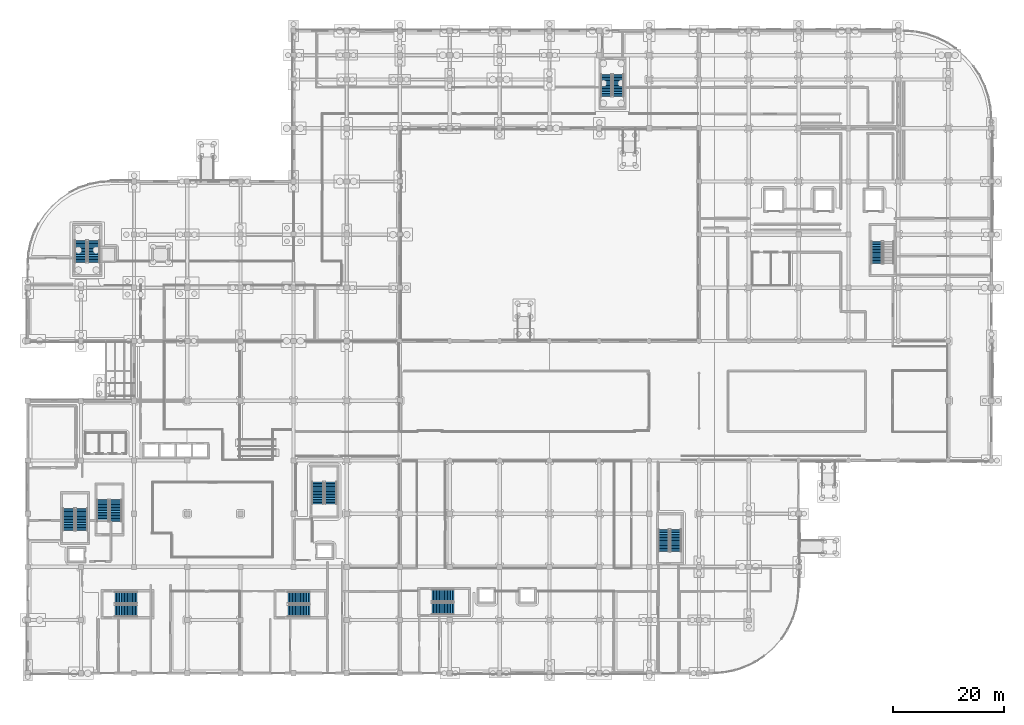
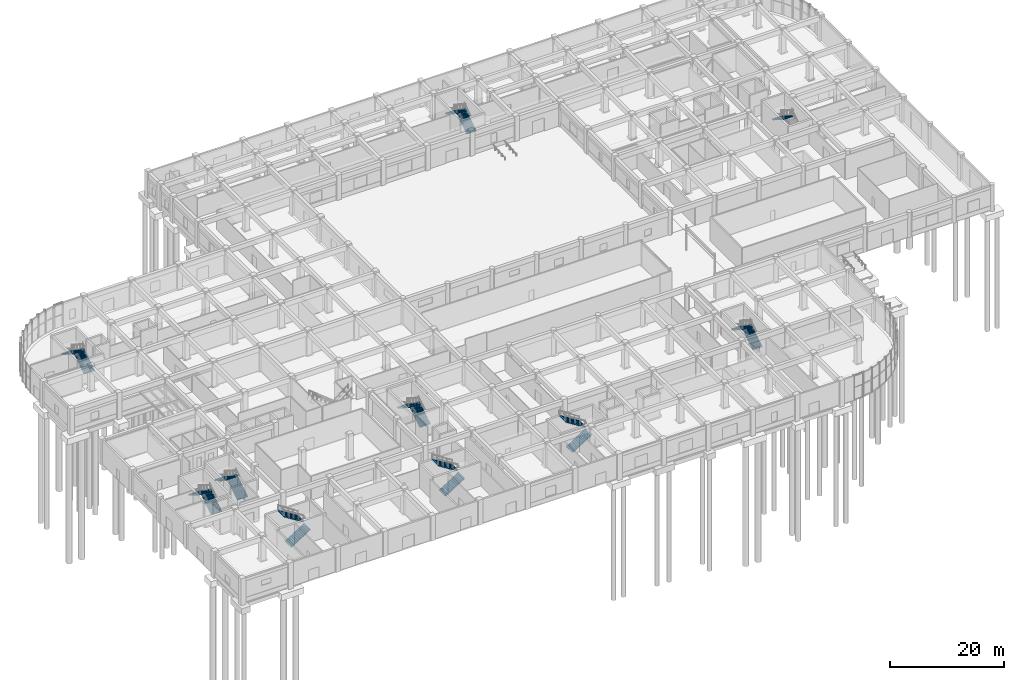
# One storey, part 41 of 74: 19 stair flights, 10 elements without a shape of their own.
"""IFC4 building model written with IfcOpenShell, lengths in metres."""

from ifc_helpers import new_model, si_unit, direction, frame, origin, place, context, subcontext, project, spatial, polyline, outline, extrude, material, layer, layer_set, type_object, element, aggregate, save


model = new_model("IFC4")

# Units and contexts
model_context = context("Model", 3, precision=1e-05, world=origin(), true_north=direction((0.0, 1.0)))
body_context = subcontext(model_context, "Body", "Model", "MODEL_VIEW")
ifc_project = project(units=[si_unit("LENGTHUNIT", "METRE"), si_unit("AREAUNIT", "SQUARE_METRE"), si_unit("VOLUMEUNIT", "CUBIC_METRE"), si_unit("PLANEANGLEUNIT", "RADIAN"), si_unit("MASSUNIT", "GRAM", prefix="KILO")], contexts=[model_context])

# Site, building, storey
site_placement = place(None, origin())
site = spatial("IfcSite", under=ifc_project, at=site_placement, CompositionType="ELEMENT")
building_placement = place(site_placement, origin())
building = spatial("IfcBuilding", under=site, at=building_placement, Name="Cendralis Terraced Arcade", CompositionType="ELEMENT")
storey_placement = place(building_placement, origin())
storey = spatial("IfcBuildingStorey", under=building, at=storey_placement, Name="L00", CompositionType="ELEMENT", Elevation=0.0)

# Stair, stair flight
ifc_material = material(Name="Concrete f'c 35 MPa", Category="concrete")
stair_type_1 = type_object("IfcStairType", Name="STR-W195-H480", PredefinedType="HALF_TURN_STAIR", material=ifc_material)
stair_1_placement = place(storey_placement, origin())
stair_1 = element("IfcStair", 1, at=stair_1_placement, inside=storey, type_object=stair_type_1, Name="L00 Protected Exit Stair ST-06", PredefinedType="HALF_TURN_STAIR")
ifc_layer_1 = layer(ifc_material, 0.159912109375, Name="FLT-W195-H480")
ifc_layer_set_1 = layer_set([ifc_layer_1], Name="Concrete f'c 35 MPa")
stair_flight_type_1 = type_object("IfcStairFlightType", Name="FLT-W195-H480", PredefinedType="STRAIGHT", material=ifc_layer_set_1)
stair_flight_1_placement = place(storey_placement, frame((153.27490234375, 77.93994140625, 2.699951171875), z_axis=(0.0, 0.0, 1.0), x_axis=(0.0, -1.0, 0.0)))
stair_flight_1 = element("IfcStairFlight", 2, at=stair_flight_1_placement, type_object=stair_flight_type_1, Name="ST-06 flight 2", NumberOfRisers=15, NumberOfTreads=14, PredefinedType="STRAIGHT", RiserHeight=0.18, TreadLength=0.285, context=body_context, shape_type="SweptSolid", body=[
    extrude(outline(polyline([(0.0, 0.0), (0.0, 0.179931640625), (0.284912109375, 0.179931640625), (0.284912109375, 0.360107421875), (0.570068359375, 0.360107421875), (0.570068359375, 0.5400390625), (0.85498046875, 0.5400390625), (0.85498046875, 0.719970703125), (1.139892578125, 0.719970703125), (1.139892578125, 0.89990234375), (1.425048828125, 0.89990234375), (1.425048828125, 1.080078125), (1.7099609375, 1.080078125), (1.7099609375, 1.260009765625), (1.9951171875, 1.260009765625), (1.9951171875, 1.43994140625), (2.280029296875, 1.43994140625), (2.280029296875, 1.6201171875), (2.56494140625, 1.6201171875), (2.56494140625, 1.800048828125), (2.85009765625, 1.800048828125), (2.85009765625, 1.97998046875), (3.135009765625, 1.97998046875), (3.135009765625, 2.159912109375), (3.419921875, 2.159912109375), (3.419921875, 2.340087890625), (3.705078125, 2.340087890625), (3.705078125, 2.52001953125), (3.989990234375, 2.52001953125), (3.989990234375, 2.699951171875), (3.989990234375, 2.3427734375), (0.28076171875, 0.0), (0.0, 0.0)])), frame((0.0, 0.97509765625, 0.0), z_axis=(0.0, -1.0, 0.0), x_axis=(1.0, 0.0, 0.0)), (0.0, 0.0, 1.0), 1.949951171875),
])
aggregate(stair_1, [stair_flight_1])

# Stair, stair flights
stair_2_placement = place(storey_placement, origin())
stair_2 = element("IfcStair", 3, at=stair_2_placement, inside=storey, type_object=stair_type_1, Name="L00 Protected Exit Stair ST-09", PredefinedType="HALF_TURN_STAIR")
stair_flight_2_placement = place(storey_placement, frame((117.02490234375, 21.949951171875, 0.0), z_axis=(0.0, 0.0, 1.0), x_axis=(0.0, 1.0, 0.0)))
stair_flight_2 = element("IfcStairFlight", 4, at=stair_flight_2_placement, type_object=stair_flight_type_1, Name="ST-09 flight 1", NumberOfRisers=15, NumberOfTreads=14, PredefinedType="STRAIGHT", RiserHeight=0.18, TreadLength=0.285, context=body_context, shape_type="SweptSolid", body=[
    extrude(outline(polyline([(0.0, 0.0), (0.0, 0.179931640625), (0.284912109375, 0.179931640625), (0.284912109375, 0.360107421875), (0.570068359375, 0.360107421875), (0.570068359375, 0.5400390625), (0.85498046875, 0.5400390625), (0.85498046875, 0.719970703125), (1.139892578125, 0.719970703125), (1.139892578125, 0.89990234375), (1.425048828125, 0.89990234375), (1.425048828125, 1.080078125), (1.7099609375, 1.080078125), (1.7099609375, 1.260009765625), (1.9951171875, 1.260009765625), (1.9951171875, 1.43994140625), (2.280029296875, 1.43994140625), (2.280029296875, 1.6201171875), (2.56494140625, 1.6201171875), (2.56494140625, 1.800048828125), (2.85009765625, 1.800048828125), (2.85009765625, 1.97998046875), (3.135009765625, 1.97998046875), (3.135009765625, 2.159912109375), (3.419921875, 2.159912109375), (3.419921875, 2.340087890625), (3.705078125, 2.340087890625), (3.705078125, 2.52001953125), (3.989990234375, 2.52001953125), (3.989990234375, 2.699951171875), (3.989990234375, 2.3427734375), (0.28076171875, 0.0), (0.0, 0.0)])), frame((0.0, 0.97509765625, 0.0), z_axis=(0.0, -1.0, 0.0), x_axis=(1.0, 0.0, 0.0)), (0.0, 0.0, 1.0), 1.949951171875),
])
stair_flight_3_placement = place(storey_placement, frame((114.875, 25.93994140625, 2.699951171875), z_axis=(0.0, 0.0, 1.0), x_axis=(0.0, -1.0, 0.0)))
stair_flight_3 = element("IfcStairFlight", 5, at=stair_flight_3_placement, type_object=stair_flight_type_1, Name="ST-09 flight 2", NumberOfRisers=15, NumberOfTreads=14, PredefinedType="STRAIGHT", RiserHeight=0.18, TreadLength=0.285, context=body_context, shape_type="SweptSolid", body=[
    extrude(outline(polyline([(0.0, 0.0), (0.0, 0.179931640625), (0.284912109375, 0.179931640625), (0.284912109375, 0.360107421875), (0.570068359375, 0.360107421875), (0.570068359375, 0.5400390625), (0.85498046875, 0.5400390625), (0.85498046875, 0.719970703125), (1.139892578125, 0.719970703125), (1.139892578125, 0.89990234375), (1.425048828125, 0.89990234375), (1.425048828125, 1.080078125), (1.7099609375, 1.080078125), (1.7099609375, 1.260009765625), (1.9951171875, 1.260009765625), (1.9951171875, 1.43994140625), (2.280029296875, 1.43994140625), (2.280029296875, 1.6201171875), (2.56494140625, 1.6201171875), (2.56494140625, 1.800048828125), (2.85009765625, 1.800048828125), (2.85009765625, 1.97998046875), (3.135009765625, 1.97998046875), (3.135009765625, 2.159912109375), (3.419921875, 2.159912109375), (3.419921875, 2.340087890625), (3.705078125, 2.340087890625), (3.705078125, 2.52001953125), (3.989990234375, 2.52001953125), (3.989990234375, 2.699951171875), (3.989990234375, 2.3427734375), (0.28076171875, 0.0), (0.0, 0.0)])), frame((0.0, 0.97509765625, 0.0), z_axis=(0.0, -1.0, 0.0), x_axis=(1.0, 0.0, 0.0)), (0.0, 0.0, 1.0), 1.949951171875),
])
aggregate(stair_2, [stair_flight_2, stair_flight_3])

stair_3_placement = place(storey_placement, origin())
stair_3 = element("IfcStair", 6, at=stair_3_placement, inside=storey, type_object=stair_type_1, Name="L00 Protected Exit Stair ST-10", PredefinedType="HALF_TURN_STAIR")
stair_flight_4_placement = place(storey_placement, frame((106.625, 104.14990234375, 0.0), z_axis=(0.0, 0.0, 1.0), x_axis=(0.0, 1.0, 0.0)))
stair_flight_4 = element("IfcStairFlight", 7, at=stair_flight_4_placement, type_object=stair_flight_type_1, Name="ST-10 flight 1", NumberOfRisers=15, NumberOfTreads=14, PredefinedType="STRAIGHT", RiserHeight=0.18, TreadLength=0.285, context=body_context, shape_type="SweptSolid", body=[
    extrude(outline(polyline([(0.0, 0.0), (0.0, 0.179931640625), (0.284912109375, 0.179931640625), (0.284912109375, 0.360107421875), (0.570068359375, 0.360107421875), (0.570068359375, 0.5400390625), (0.85498046875, 0.5400390625), (0.85498046875, 0.719970703125), (1.139892578125, 0.719970703125), (1.139892578125, 0.89990234375), (1.425048828125, 0.89990234375), (1.425048828125, 1.080078125), (1.7099609375, 1.080078125), (1.7099609375, 1.260009765625), (1.9951171875, 1.260009765625), (1.9951171875, 1.43994140625), (2.280029296875, 1.43994140625), (2.280029296875, 1.6201171875), (2.56494140625, 1.6201171875), (2.56494140625, 1.800048828125), (2.85009765625, 1.800048828125), (2.85009765625, 1.97998046875), (3.135009765625, 1.97998046875), (3.135009765625, 2.159912109375), (3.419921875, 2.159912109375), (3.419921875, 2.340087890625), (3.705078125, 2.340087890625), (3.705078125, 2.52001953125), (3.989990234375, 2.52001953125), (3.989990234375, 2.699951171875), (3.989990234375, 2.3427734375), (0.28076171875, 0.0), (0.0, 0.0)])), frame((0.0, 0.97509765625, 0.0), z_axis=(0.0, -1.0, 0.0), x_axis=(1.0, 0.0, 0.0)), (0.0, 0.0, 1.0), 1.949951171875),
])
stair_flight_5_placement = place(storey_placement, frame((104.47509765625, 108.139892578125, 2.699951171875), z_axis=(0.0, 0.0, 1.0), x_axis=(0.0, -1.0, 0.0)))
stair_flight_5 = element("IfcStairFlight", 8, at=stair_flight_5_placement, type_object=stair_flight_type_1, Name="ST-10 flight 2", NumberOfRisers=15, NumberOfTreads=14, PredefinedType="STRAIGHT", RiserHeight=0.18, TreadLength=0.285, context=body_context, shape_type="SweptSolid", body=[
    extrude(outline(polyline([(0.0, 0.0), (0.0, 0.179931640625), (0.284912109375, 0.179931640625), (0.284912109375, 0.360107421875), (0.570068359375, 0.360107421875), (0.570068359375, 0.5400390625), (0.85498046875, 0.5400390625), (0.85498046875, 0.719970703125), (1.139892578125, 0.719970703125), (1.139892578125, 0.89990234375), (1.425048828125, 0.89990234375), (1.425048828125, 1.080078125), (1.7099609375, 1.080078125), (1.7099609375, 1.260009765625), (1.9951171875, 1.260009765625), (1.9951171875, 1.43994140625), (2.280029296875, 1.43994140625), (2.280029296875, 1.6201171875), (2.56494140625, 1.6201171875), (2.56494140625, 1.800048828125), (2.85009765625, 1.800048828125), (2.85009765625, 1.97998046875), (3.135009765625, 1.97998046875), (3.135009765625, 2.159912109375), (3.419921875, 2.159912109375), (3.419921875, 2.340087890625), (3.705078125, 2.340087890625), (3.705078125, 2.52001953125), (3.989990234375, 2.52001953125), (3.989990234375, 2.699951171875), (3.989990234375, 2.3427734375), (0.28076171875, 0.0), (0.0, 0.0)])), frame((0.0, 0.97509765625, 0.0), z_axis=(0.0, -1.0, 0.0), x_axis=(1.0, 0.0, 0.0)), (0.0, 0.0, 1.0), 1.949951171875),
])
aggregate(stair_3, [stair_flight_4, stair_flight_5])

stair_type_2 = type_object("IfcStairType", Name="STR-W215-H480", PredefinedType="HALF_TURN_STAIR", material=ifc_material)
stair_4_placement = place(storey_placement, origin())
stair_4 = element("IfcStair", 9, at=stair_4_placement, inside=storey, type_object=stair_type_2, Name="L00 Protected Exit Stair ST-01", PredefinedType="HALF_TURN_STAIR")
ifc_layer_2 = layer(ifc_material, 0.159912109375, Name="FLT-W215-H480")
ifc_layer_set_2 = layer_set([ifc_layer_2], Name="Concrete f'c 35 MPa")
stair_flight_type_2 = type_object("IfcStairFlightType", Name="FLT-W215-H480", PredefinedType="STRAIGHT", material=ifc_layer_set_2)
stair_flight_6_placement = place(storey_placement, frame((9.72509765625, 25.75, 0.0), z_axis=(0.0, 0.0, 1.0), x_axis=(0.0, 1.0, 0.0)))
stair_flight_6 = element("IfcStairFlight", 10, at=stair_flight_6_placement, type_object=stair_flight_type_2, Name="ST-01 flight 1", NumberOfRisers=15, NumberOfTreads=14, PredefinedType="STRAIGHT", RiserHeight=0.18, TreadLength=0.285, context=body_context, shape_type="SweptSolid", body=[
    extrude(outline(polyline([(0.0, 0.0), (0.0, 0.179931640625), (0.284912109375, 0.179931640625), (0.284912109375, 0.360107421875), (0.570068359375, 0.360107421875), (0.570068359375, 0.5400390625), (0.85498046875, 0.5400390625), (0.85498046875, 0.719970703125), (1.139892578125, 0.719970703125), (1.139892578125, 0.89990234375), (1.425048828125, 0.89990234375), (1.425048828125, 1.080078125), (1.7099609375, 1.080078125), (1.7099609375, 1.260009765625), (1.9951171875, 1.260009765625), (1.9951171875, 1.43994140625), (2.280029296875, 1.43994140625), (2.280029296875, 1.6201171875), (2.56494140625, 1.6201171875), (2.56494140625, 1.800048828125), (2.85009765625, 1.800048828125), (2.85009765625, 1.97998046875), (3.135009765625, 1.97998046875), (3.135009765625, 2.159912109375), (3.419921875, 2.159912109375), (3.419921875, 2.340087890625), (3.705078125, 2.340087890625), (3.705078125, 2.52001953125), (3.989990234375, 2.52001953125), (3.989990234375, 2.699951171875), (3.989990234375, 2.3427734375), (0.28076171875, 0.0), (0.0, 0.0)])), frame((0.0, 1.074951171875, 0.0), z_axis=(0.0, -1.0, 0.0), x_axis=(1.0, 0.0, 0.0)), (0.0, 0.0, 1.0), 2.14990234375),
])
stair_flight_7_placement = place(storey_placement, frame((7.375, 29.739990234375, 2.699951171875), z_axis=(0.0, 0.0, 1.0), x_axis=(0.0, -1.0, 0.0)))
stair_flight_7 = element("IfcStairFlight", 11, at=stair_flight_7_placement, type_object=stair_flight_type_2, Name="ST-01 flight 2", NumberOfRisers=15, NumberOfTreads=14, PredefinedType="STRAIGHT", RiserHeight=0.18, TreadLength=0.285, context=body_context, shape_type="SweptSolid", body=[
    extrude(outline(polyline([(0.0, 0.0), (0.0, 0.179931640625), (0.284912109375, 0.179931640625), (0.284912109375, 0.360107421875), (0.570068359375, 0.360107421875), (0.570068359375, 0.5400390625), (0.85498046875, 0.5400390625), (0.85498046875, 0.719970703125), (1.139892578125, 0.719970703125), (1.139892578125, 0.89990234375), (1.425048828125, 0.89990234375), (1.425048828125, 1.080078125), (1.7099609375, 1.080078125), (1.7099609375, 1.260009765625), (1.9951171875, 1.260009765625), (1.9951171875, 1.43994140625), (2.280029296875, 1.43994140625), (2.280029296875, 1.6201171875), (2.56494140625, 1.6201171875), (2.56494140625, 1.800048828125), (2.85009765625, 1.800048828125), (2.85009765625, 1.97998046875), (3.135009765625, 1.97998046875), (3.135009765625, 2.159912109375), (3.419921875, 2.159912109375), (3.419921875, 2.340087890625), (3.705078125, 2.340087890625), (3.705078125, 2.52001953125), (3.989990234375, 2.52001953125), (3.989990234375, 2.699951171875), (3.989990234375, 2.3427734375), (0.28076171875, 0.0), (0.0, 0.0)])), frame((0.0, 1.074951171875, 0.0), z_axis=(0.0, -1.0, 0.0), x_axis=(1.0, 0.0, 0.0)), (0.0, 0.0, 1.0), 2.14990234375),
])
aggregate(stair_4, [stair_flight_6, stair_flight_7])

stair_5_placement = place(storey_placement, origin())
stair_5 = element("IfcStair", 12, at=stair_5_placement, inside=storey, type_object=stair_type_2, Name="L00 Protected Exit Stair ST-02", PredefinedType="HALF_TURN_STAIR")
stair_flight_8_placement = place(storey_placement, frame((15.75, 11.27490234375, 0.0), z_axis=(0.0, 0.0, 1.0), x_axis=(1.0, 0.0, 0.0)))
stair_flight_8 = element("IfcStairFlight", 13, at=stair_flight_8_placement, type_object=stair_flight_type_2, Name="ST-02 flight 1", NumberOfRisers=15, NumberOfTreads=14, PredefinedType="STRAIGHT", RiserHeight=0.18, TreadLength=0.285, context=body_context, shape_type="SweptSolid", body=[
    extrude(outline(polyline([(0.0, 0.0), (0.0, 0.179931640625), (0.284912109375, 0.179931640625), (0.284912109375, 0.360107421875), (0.570068359375, 0.360107421875), (0.570068359375, 0.5400390625), (0.85498046875, 0.5400390625), (0.85498046875, 0.719970703125), (1.139892578125, 0.719970703125), (1.139892578125, 0.89990234375), (1.425048828125, 0.89990234375), (1.425048828125, 1.080078125), (1.7099609375, 1.080078125), (1.7099609375, 1.260009765625), (1.9951171875, 1.260009765625), (1.9951171875, 1.43994140625), (2.280029296875, 1.43994140625), (2.280029296875, 1.6201171875), (2.56494140625, 1.6201171875), (2.56494140625, 1.800048828125), (2.85009765625, 1.800048828125), (2.85009765625, 1.97998046875), (3.135009765625, 1.97998046875), (3.135009765625, 2.159912109375), (3.419921875, 2.159912109375), (3.419921875, 2.340087890625), (3.705078125, 2.340087890625), (3.705078125, 2.52001953125), (3.989990234375, 2.52001953125), (3.989990234375, 2.699951171875), (3.989990234375, 2.3427734375), (0.28076171875, 0.0), (0.0, 0.0)])), frame((0.0, 1.074951171875, 0.0), z_axis=(0.0, -1.0, 0.0), x_axis=(1.0, 0.0, 0.0)), (0.0, 0.0, 1.0), 2.14990234375),
])
stair_flight_9_placement = place(storey_placement, frame((19.739990234375, 13.625, 2.699951171875), z_axis=(0.0, 0.0, 1.0), x_axis=(-1.0, 0.0, 0.0)))
stair_flight_9 = element("IfcStairFlight", 14, at=stair_flight_9_placement, type_object=stair_flight_type_2, Name="ST-02 flight 2", NumberOfRisers=15, NumberOfTreads=14, PredefinedType="STRAIGHT", RiserHeight=0.18, TreadLength=0.285, context=body_context, shape_type="SweptSolid", body=[
    extrude(outline(polyline([(0.0, 0.0), (0.0, 0.179931640625), (0.284912109375, 0.179931640625), (0.284912109375, 0.360107421875), (0.570068359375, 0.360107421875), (0.570068359375, 0.5400390625), (0.85498046875, 0.5400390625), (0.85498046875, 0.719970703125), (1.139892578125, 0.719970703125), (1.139892578125, 0.89990234375), (1.425048828125, 0.89990234375), (1.425048828125, 1.080078125), (1.7099609375, 1.080078125), (1.7099609375, 1.260009765625), (1.9951171875, 1.260009765625), (1.9951171875, 1.43994140625), (2.280029296875, 1.43994140625), (2.280029296875, 1.6201171875), (2.56494140625, 1.6201171875), (2.56494140625, 1.800048828125), (2.85009765625, 1.800048828125), (2.85009765625, 1.97998046875), (3.135009765625, 1.97998046875), (3.135009765625, 2.159912109375), (3.419921875, 2.159912109375), (3.419921875, 2.340087890625), (3.705078125, 2.340087890625), (3.705078125, 2.52001953125), (3.989990234375, 2.52001953125), (3.989990234375, 2.699951171875), (3.989990234375, 2.3427734375), (0.28076171875, 0.0), (0.0, 0.0)])), frame((0.0, 1.074951171875, 0.0), z_axis=(0.0, -1.0, 0.0), x_axis=(1.0, 0.0, 0.0)), (0.0, 0.0, 1.0), 2.14990234375),
])
aggregate(stair_5, [stair_flight_8, stair_flight_9])

stair_6_placement = place(storey_placement, origin())
stair_6 = element("IfcStair", 15, at=stair_6_placement, inside=storey, type_object=stair_type_2, Name="L00 Protected Exit Stair ST-03", PredefinedType="HALF_TURN_STAIR")
stair_flight_10_placement = place(storey_placement, frame((46.949951171875, 11.27490234375, 0.0), z_axis=(0.0, 0.0, 1.0), x_axis=(1.0, 0.0, 0.0)))
stair_flight_10 = element("IfcStairFlight", 16, at=stair_flight_10_placement, type_object=stair_flight_type_2, Name="ST-03 flight 1", NumberOfRisers=15, NumberOfTreads=14, PredefinedType="STRAIGHT", RiserHeight=0.18, TreadLength=0.285, context=body_context, shape_type="SweptSolid", body=[
    extrude(outline(polyline([(0.0, 0.0), (0.0, 0.179931640625), (0.284912109375, 0.179931640625), (0.284912109375, 0.360107421875), (0.570068359375, 0.360107421875), (0.570068359375, 0.5400390625), (0.85498046875, 0.5400390625), (0.85498046875, 0.719970703125), (1.139892578125, 0.719970703125), (1.139892578125, 0.89990234375), (1.425048828125, 0.89990234375), (1.425048828125, 1.080078125), (1.7099609375, 1.080078125), (1.7099609375, 1.260009765625), (1.9951171875, 1.260009765625), (1.9951171875, 1.43994140625), (2.280029296875, 1.43994140625), (2.280029296875, 1.6201171875), (2.56494140625, 1.6201171875), (2.56494140625, 1.800048828125), (2.85009765625, 1.800048828125), (2.85009765625, 1.97998046875), (3.135009765625, 1.97998046875), (3.135009765625, 2.159912109375), (3.419921875, 2.159912109375), (3.419921875, 2.340087890625), (3.705078125, 2.340087890625), (3.705078125, 2.52001953125), (3.989990234375, 2.52001953125), (3.989990234375, 2.699951171875), (3.989990234375, 2.3427734375), (0.28076171875, 0.0), (0.0, 0.0)])), frame((0.0, 1.074951171875, 0.0), z_axis=(0.0, -1.0, 0.0), x_axis=(1.0, 0.0, 0.0)), (0.0, 0.0, 1.0), 2.14990234375),
])
stair_flight_11_placement = place(storey_placement, frame((50.93994140625, 13.625, 2.699951171875), z_axis=(0.0, 0.0, 1.0), x_axis=(-1.0, 0.0, 0.0)))
stair_flight_11 = element("IfcStairFlight", 17, at=stair_flight_11_placement, type_object=stair_flight_type_2, Name="ST-03 flight 2", NumberOfRisers=15, NumberOfTreads=14, PredefinedType="STRAIGHT", RiserHeight=0.18, TreadLength=0.285, context=body_context, shape_type="SweptSolid", body=[
    extrude(outline(polyline([(0.0, 0.0), (0.0, 0.179931640625), (0.284912109375, 0.179931640625), (0.284912109375, 0.360107421875), (0.570068359375, 0.360107421875), (0.570068359375, 0.5400390625), (0.85498046875, 0.5400390625), (0.85498046875, 0.719970703125), (1.139892578125, 0.719970703125), (1.139892578125, 0.89990234375), (1.425048828125, 0.89990234375), (1.425048828125, 1.080078125), (1.7099609375, 1.080078125), (1.7099609375, 1.260009765625), (1.9951171875, 1.260009765625), (1.9951171875, 1.43994140625), (2.280029296875, 1.43994140625), (2.280029296875, 1.6201171875), (2.56494140625, 1.6201171875), (2.56494140625, 1.800048828125), (2.85009765625, 1.800048828125), (2.85009765625, 1.97998046875), (3.135009765625, 1.97998046875), (3.135009765625, 2.159912109375), (3.419921875, 2.159912109375), (3.419921875, 2.340087890625), (3.705078125, 2.340087890625), (3.705078125, 2.52001953125), (3.989990234375, 2.52001953125), (3.989990234375, 2.699951171875), (3.989990234375, 2.3427734375), (0.28076171875, 0.0), (0.0, 0.0)])), frame((0.0, 1.074951171875, 0.0), z_axis=(0.0, -1.0, 0.0), x_axis=(1.0, 0.0, 0.0)), (0.0, 0.0, 1.0), 2.14990234375),
])
aggregate(stair_6, [stair_flight_10, stair_flight_11])

stair_7_placement = place(storey_placement, origin())
stair_7 = element("IfcStair", 18, at=stair_7_placement, inside=storey, type_object=stair_type_2, Name="L00 Protected Exit Stair ST-04", PredefinedType="HALF_TURN_STAIR")
stair_flight_12_placement = place(storey_placement, frame((54.72509765625, 30.550048828125, 0.0), z_axis=(0.0, 0.0, 1.0), x_axis=(0.0, 1.0, 0.0)))
stair_flight_12 = element("IfcStairFlight", 19, at=stair_flight_12_placement, type_object=stair_flight_type_2, Name="ST-04 flight 1", NumberOfRisers=15, NumberOfTreads=14, PredefinedType="STRAIGHT", RiserHeight=0.18, TreadLength=0.285, context=body_context, shape_type="SweptSolid", body=[
    extrude(outline(polyline([(0.0, 0.0), (0.0, 0.179931640625), (0.284912109375, 0.179931640625), (0.284912109375, 0.360107421875), (0.570068359375, 0.360107421875), (0.570068359375, 0.5400390625), (0.85498046875, 0.5400390625), (0.85498046875, 0.719970703125), (1.139892578125, 0.719970703125), (1.139892578125, 0.89990234375), (1.425048828125, 0.89990234375), (1.425048828125, 1.080078125), (1.7099609375, 1.080078125), (1.7099609375, 1.260009765625), (1.9951171875, 1.260009765625), (1.9951171875, 1.43994140625), (2.280029296875, 1.43994140625), (2.280029296875, 1.6201171875), (2.56494140625, 1.6201171875), (2.56494140625, 1.800048828125), (2.85009765625, 1.800048828125), (2.85009765625, 1.97998046875), (3.135009765625, 1.97998046875), (3.135009765625, 2.159912109375), (3.419921875, 2.159912109375), (3.419921875, 2.340087890625), (3.705078125, 2.340087890625), (3.705078125, 2.52001953125), (3.989990234375, 2.52001953125), (3.989990234375, 2.699951171875), (3.989990234375, 2.3427734375), (0.28076171875, 0.0), (0.0, 0.0)])), frame((0.0, 1.074951171875, 0.0), z_axis=(0.0, -1.0, 0.0), x_axis=(1.0, 0.0, 0.0)), (0.0, 0.0, 1.0), 2.14990234375),
])
stair_flight_13_placement = place(storey_placement, frame((52.375, 34.5400390625, 2.699951171875), z_axis=(0.0, 0.0, 1.0), x_axis=(0.0, -1.0, 0.0)))
stair_flight_13 = element("IfcStairFlight", 20, at=stair_flight_13_placement, type_object=stair_flight_type_2, Name="ST-04 flight 2", NumberOfRisers=15, NumberOfTreads=14, PredefinedType="STRAIGHT", RiserHeight=0.18, TreadLength=0.285, context=body_context, shape_type="SweptSolid", body=[
    extrude(outline(polyline([(0.0, 0.0), (0.0, 0.179931640625), (0.284912109375, 0.179931640625), (0.284912109375, 0.360107421875), (0.570068359375, 0.360107421875), (0.570068359375, 0.5400390625), (0.85498046875, 0.5400390625), (0.85498046875, 0.719970703125), (1.139892578125, 0.719970703125), (1.139892578125, 0.89990234375), (1.425048828125, 0.89990234375), (1.425048828125, 1.080078125), (1.7099609375, 1.080078125), (1.7099609375, 1.260009765625), (1.9951171875, 1.260009765625), (1.9951171875, 1.43994140625), (2.280029296875, 1.43994140625), (2.280029296875, 1.6201171875), (2.56494140625, 1.6201171875), (2.56494140625, 1.800048828125), (2.85009765625, 1.800048828125), (2.85009765625, 1.97998046875), (3.135009765625, 1.97998046875), (3.135009765625, 2.159912109375), (3.419921875, 2.159912109375), (3.419921875, 2.340087890625), (3.705078125, 2.340087890625), (3.705078125, 2.52001953125), (3.989990234375, 2.52001953125), (3.989990234375, 2.699951171875), (3.989990234375, 2.3427734375), (0.28076171875, 0.0), (0.0, 0.0)])), frame((0.0, 1.074951171875, 0.0), z_axis=(0.0, -1.0, 0.0), x_axis=(1.0, 0.0, 0.0)), (0.0, 0.0, 1.0), 2.14990234375),
])
aggregate(stair_7, [stair_flight_12, stair_flight_13])

stair_8_placement = place(storey_placement, origin())
stair_8 = element("IfcStair", 21, at=stair_8_placement, inside=storey, type_object=stair_type_2, Name="L00 Protected Exit Stair ST-05", PredefinedType="HALF_TURN_STAIR")
stair_flight_14_placement = place(storey_placement, frame((15.925048828125, 27.35009765625, 0.0), z_axis=(0.0, 0.0, 1.0), x_axis=(0.0, 1.0, 0.0)))
stair_flight_14 = element("IfcStairFlight", 22, at=stair_flight_14_placement, type_object=stair_flight_type_2, Name="ST-05 flight 1", NumberOfRisers=15, NumberOfTreads=14, PredefinedType="STRAIGHT", RiserHeight=0.18, TreadLength=0.285, context=body_context, shape_type="SweptSolid", body=[
    extrude(outline(polyline([(0.0, 0.0), (0.0, 0.179931640625), (0.284912109375, 0.179931640625), (0.284912109375, 0.360107421875), (0.570068359375, 0.360107421875), (0.570068359375, 0.5400390625), (0.85498046875, 0.5400390625), (0.85498046875, 0.719970703125), (1.139892578125, 0.719970703125), (1.139892578125, 0.89990234375), (1.425048828125, 0.89990234375), (1.425048828125, 1.080078125), (1.7099609375, 1.080078125), (1.7099609375, 1.260009765625), (1.9951171875, 1.260009765625), (1.9951171875, 1.43994140625), (2.280029296875, 1.43994140625), (2.280029296875, 1.6201171875), (2.56494140625, 1.6201171875), (2.56494140625, 1.800048828125), (2.85009765625, 1.800048828125), (2.85009765625, 1.97998046875), (3.135009765625, 1.97998046875), (3.135009765625, 2.159912109375), (3.419921875, 2.159912109375), (3.419921875, 2.340087890625), (3.705078125, 2.340087890625), (3.705078125, 2.52001953125), (3.989990234375, 2.52001953125), (3.989990234375, 2.699951171875), (3.989990234375, 2.3427734375), (0.28076171875, 0.0), (0.0, 0.0)])), frame((0.0, 1.074951171875, 0.0), z_axis=(0.0, -1.0, 0.0), x_axis=(1.0, 0.0, 0.0)), (0.0, 0.0, 1.0), 2.14990234375),
])
stair_flight_15_placement = place(storey_placement, frame((13.574951171875, 31.340087890625, 2.699951171875), z_axis=(0.0, 0.0, 1.0), x_axis=(0.0, -1.0, 0.0)))
stair_flight_15 = element("IfcStairFlight", 23, at=stair_flight_15_placement, type_object=stair_flight_type_2, Name="ST-05 flight 2", NumberOfRisers=15, NumberOfTreads=14, PredefinedType="STRAIGHT", RiserHeight=0.18, TreadLength=0.285, context=body_context, shape_type="SweptSolid", body=[
    extrude(outline(polyline([(0.0, 0.0), (0.0, 0.179931640625), (0.284912109375, 0.179931640625), (0.284912109375, 0.360107421875), (0.570068359375, 0.360107421875), (0.570068359375, 0.5400390625), (0.85498046875, 0.5400390625), (0.85498046875, 0.719970703125), (1.139892578125, 0.719970703125), (1.139892578125, 0.89990234375), (1.425048828125, 0.89990234375), (1.425048828125, 1.080078125), (1.7099609375, 1.080078125), (1.7099609375, 1.260009765625), (1.9951171875, 1.260009765625), (1.9951171875, 1.43994140625), (2.280029296875, 1.43994140625), (2.280029296875, 1.6201171875), (2.56494140625, 1.6201171875), (2.56494140625, 1.800048828125), (2.85009765625, 1.800048828125), (2.85009765625, 1.97998046875), (3.135009765625, 1.97998046875), (3.135009765625, 2.159912109375), (3.419921875, 2.159912109375), (3.419921875, 2.340087890625), (3.705078125, 2.340087890625), (3.705078125, 2.52001953125), (3.989990234375, 2.52001953125), (3.989990234375, 2.699951171875), (3.989990234375, 2.3427734375), (0.28076171875, 0.0), (0.0, 0.0)])), frame((0.0, 1.074951171875, 0.0), z_axis=(0.0, -1.0, 0.0), x_axis=(1.0, 0.0, 0.0)), (0.0, 0.0, 1.0), 2.14990234375),
])
aggregate(stair_8, [stair_flight_14, stair_flight_15])

stair_9_placement = place(storey_placement, origin())
stair_9 = element("IfcStair", 24, at=stair_9_placement, inside=storey, type_object=stair_type_2, Name="L00 Protected Exit Stair ST-07", PredefinedType="HALF_TURN_STAIR")
stair_flight_16_placement = place(storey_placement, frame((11.925048828125, 74.14990234375, 0.0), z_axis=(0.0, 0.0, 1.0), x_axis=(0.0, 1.0, 0.0)))
stair_flight_16 = element("IfcStairFlight", 25, at=stair_flight_16_placement, type_object=stair_flight_type_2, Name="ST-07 flight 1", NumberOfRisers=15, NumberOfTreads=14, PredefinedType="STRAIGHT", RiserHeight=0.18, TreadLength=0.285, context=body_context, shape_type="SweptSolid", body=[
    extrude(outline(polyline([(0.0, 0.0), (0.0, 0.179931640625), (0.284912109375, 0.179931640625), (0.284912109375, 0.360107421875), (0.570068359375, 0.360107421875), (0.570068359375, 0.5400390625), (0.85498046875, 0.5400390625), (0.85498046875, 0.719970703125), (1.139892578125, 0.719970703125), (1.139892578125, 0.89990234375), (1.425048828125, 0.89990234375), (1.425048828125, 1.080078125), (1.7099609375, 1.080078125), (1.7099609375, 1.260009765625), (1.9951171875, 1.260009765625), (1.9951171875, 1.43994140625), (2.280029296875, 1.43994140625), (2.280029296875, 1.6201171875), (2.56494140625, 1.6201171875), (2.56494140625, 1.800048828125), (2.85009765625, 1.800048828125), (2.85009765625, 1.97998046875), (3.135009765625, 1.97998046875), (3.135009765625, 2.159912109375), (3.419921875, 2.159912109375), (3.419921875, 2.340087890625), (3.705078125, 2.340087890625), (3.705078125, 2.52001953125), (3.989990234375, 2.52001953125), (3.989990234375, 2.699951171875), (3.989990234375, 2.3427734375), (0.28076171875, 0.0), (0.0, 0.0)])), frame((0.0, 1.074951171875, 0.0), z_axis=(0.0, -1.0, 0.0), x_axis=(1.0, 0.0, 0.0)), (0.0, 0.0, 1.0), 2.14990234375),
])
stair_flight_17_placement = place(storey_placement, frame((9.574951171875, 78.139892578125, 2.699951171875), z_axis=(0.0, 0.0, 1.0), x_axis=(0.0, -1.0, 0.0)))
stair_flight_17 = element("IfcStairFlight", 26, at=stair_flight_17_placement, type_object=stair_flight_type_2, Name="ST-07 flight 2", NumberOfRisers=15, NumberOfTreads=14, PredefinedType="STRAIGHT", RiserHeight=0.18, TreadLength=0.285, context=body_context, shape_type="SweptSolid", body=[
    extrude(outline(polyline([(0.0, 0.0), (0.0, 0.179931640625), (0.284912109375, 0.179931640625), (0.284912109375, 0.360107421875), (0.570068359375, 0.360107421875), (0.570068359375, 0.5400390625), (0.85498046875, 0.5400390625), (0.85498046875, 0.719970703125), (1.139892578125, 0.719970703125), (1.139892578125, 0.89990234375), (1.425048828125, 0.89990234375), (1.425048828125, 1.080078125), (1.7099609375, 1.080078125), (1.7099609375, 1.260009765625), (1.9951171875, 1.260009765625), (1.9951171875, 1.43994140625), (2.280029296875, 1.43994140625), (2.280029296875, 1.6201171875), (2.56494140625, 1.6201171875), (2.56494140625, 1.800048828125), (2.85009765625, 1.800048828125), (2.85009765625, 1.97998046875), (3.135009765625, 1.97998046875), (3.135009765625, 2.159912109375), (3.419921875, 2.159912109375), (3.419921875, 2.340087890625), (3.705078125, 2.340087890625), (3.705078125, 2.52001953125), (3.989990234375, 2.52001953125), (3.989990234375, 2.699951171875), (3.989990234375, 2.3427734375), (0.28076171875, 0.0), (0.0, 0.0)])), frame((0.0, 1.074951171875, 0.0), z_axis=(0.0, -1.0, 0.0), x_axis=(1.0, 0.0, 0.0)), (0.0, 0.0, 1.0), 2.14990234375),
])
aggregate(stair_9, [stair_flight_16, stair_flight_17])

stair_10_placement = place(storey_placement, origin())
stair_10 = element("IfcStair", 27, at=stair_10_placement, inside=storey, type_object=stair_type_2, Name="L00 Protected Exit Stair ST-08", PredefinedType="HALF_TURN_STAIR")
stair_flight_18_placement = place(storey_placement, frame((72.949951171875, 11.675048828125, 0.0), z_axis=(0.0, 0.0, 1.0), x_axis=(1.0, 0.0, 0.0)))
stair_flight_18 = element("IfcStairFlight", 28, at=stair_flight_18_placement, type_object=stair_flight_type_2, Name="ST-08 flight 1", NumberOfRisers=15, NumberOfTreads=14, PredefinedType="STRAIGHT", RiserHeight=0.18, TreadLength=0.285, context=body_context, shape_type="SweptSolid", body=[
    extrude(outline(polyline([(0.0, 0.0), (0.0, 0.179931640625), (0.284912109375, 0.179931640625), (0.284912109375, 0.360107421875), (0.570068359375, 0.360107421875), (0.570068359375, 0.5400390625), (0.85498046875, 0.5400390625), (0.85498046875, 0.719970703125), (1.139892578125, 0.719970703125), (1.139892578125, 0.89990234375), (1.425048828125, 0.89990234375), (1.425048828125, 1.080078125), (1.7099609375, 1.080078125), (1.7099609375, 1.260009765625), (1.9951171875, 1.260009765625), (1.9951171875, 1.43994140625), (2.280029296875, 1.43994140625), (2.280029296875, 1.6201171875), (2.56494140625, 1.6201171875), (2.56494140625, 1.800048828125), (2.85009765625, 1.800048828125), (2.85009765625, 1.97998046875), (3.135009765625, 1.97998046875), (3.135009765625, 2.159912109375), (3.419921875, 2.159912109375), (3.419921875, 2.340087890625), (3.705078125, 2.340087890625), (3.705078125, 2.52001953125), (3.989990234375, 2.52001953125), (3.989990234375, 2.699951171875), (3.989990234375, 2.3427734375), (0.28076171875, 0.0), (0.0, 0.0)])), frame((0.0, 1.074951171875, 0.0), z_axis=(0.0, -1.0, 0.0), x_axis=(1.0, 0.0, 0.0)), (0.0, 0.0, 1.0), 2.14990234375),
])
stair_flight_19_placement = place(storey_placement, frame((76.93994140625, 14.02490234375, 2.699951171875), z_axis=(0.0, 0.0, 1.0), x_axis=(-1.0, 0.0, 0.0)))
stair_flight_19 = element("IfcStairFlight", 29, at=stair_flight_19_placement, type_object=stair_flight_type_2, Name="ST-08 flight 2", NumberOfRisers=15, NumberOfTreads=14, PredefinedType="STRAIGHT", RiserHeight=0.18, TreadLength=0.285, context=body_context, shape_type="SweptSolid", body=[
    extrude(outline(polyline([(0.0, 0.0), (0.0, 0.179931640625), (0.284912109375, 0.179931640625), (0.284912109375, 0.360107421875), (0.570068359375, 0.360107421875), (0.570068359375, 0.5400390625), (0.85498046875, 0.5400390625), (0.85498046875, 0.719970703125), (1.139892578125, 0.719970703125), (1.139892578125, 0.89990234375), (1.425048828125, 0.89990234375), (1.425048828125, 1.080078125), (1.7099609375, 1.080078125), (1.7099609375, 1.260009765625), (1.9951171875, 1.260009765625), (1.9951171875, 1.43994140625), (2.280029296875, 1.43994140625), (2.280029296875, 1.6201171875), (2.56494140625, 1.6201171875), (2.56494140625, 1.800048828125), (2.85009765625, 1.800048828125), (2.85009765625, 1.97998046875), (3.135009765625, 1.97998046875), (3.135009765625, 2.159912109375), (3.419921875, 2.159912109375), (3.419921875, 2.340087890625), (3.705078125, 2.340087890625), (3.705078125, 2.52001953125), (3.989990234375, 2.52001953125), (3.989990234375, 2.699951171875), (3.989990234375, 2.3427734375), (0.28076171875, 0.0), (0.0, 0.0)])), frame((0.0, 1.074951171875, 0.0), z_axis=(0.0, -1.0, 0.0), x_axis=(1.0, 0.0, 0.0)), (0.0, 0.0, 1.0), 2.14990234375),
])
aggregate(stair_10, [stair_flight_18, stair_flight_19])

save(model, "model.ifc")
